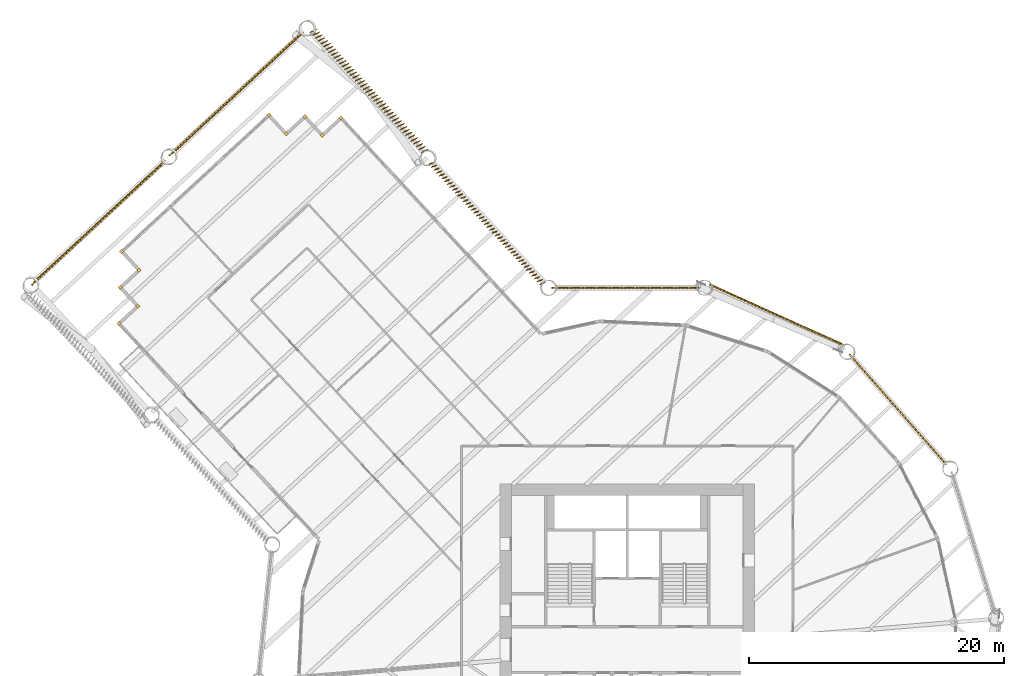
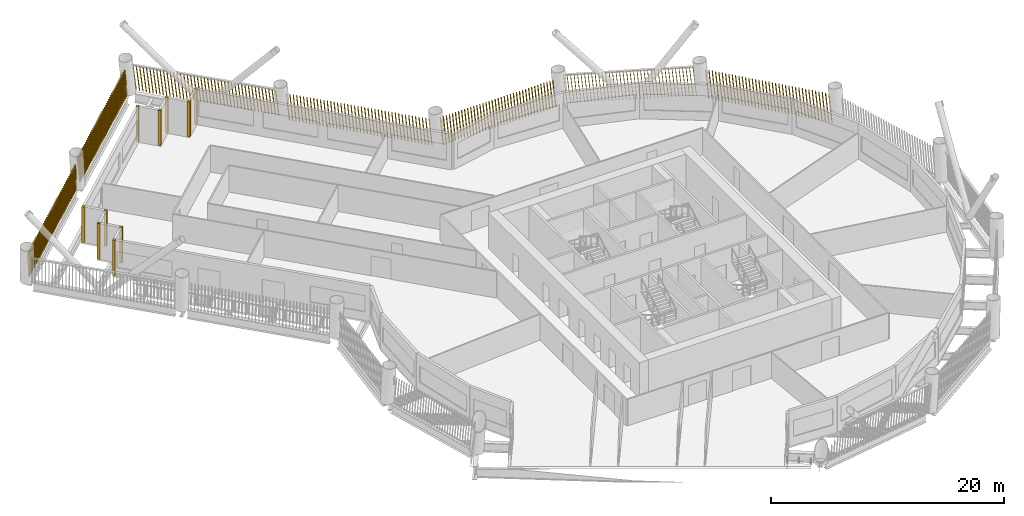
# One storey, part 21 of 22: 17 shading devices.
"""IFC4 building model written with IfcOpenShell, lengths in metres."""

from ifc_helpers import new_model, si_unit, direction, frame, frame_2d, origin, origin_2d, place, context, subcontext, project, spatial, rectangle, composite_profile, extrude, material, type_object, element, save


model = new_model("IFC4")

# Units and contexts
model_context = context("Model", 3, precision=1e-05, world=origin(), true_north=direction((0.0, 1.0)))
body_context = subcontext(model_context, "Body", "Model", "MODEL_VIEW")
ifc_project = project(units=[si_unit("LENGTHUNIT", "METRE"), si_unit("AREAUNIT", "SQUARE_METRE"), si_unit("VOLUMEUNIT", "CUBIC_METRE"), si_unit("PLANEANGLEUNIT", "RADIAN"), si_unit("MASSUNIT", "GRAM", prefix="KILO")], contexts=[model_context])

# Site, building, storey
site_placement = place(None, origin())
site = spatial("IfcSite", under=ifc_project, at=site_placement, CompositionType="ELEMENT")
building_placement = place(site_placement, origin())
building = spatial("IfcBuilding", under=site, at=building_placement, Name="Tarsis Ring Headquarters", CompositionType="ELEMENT")
storey_placement = place(building_placement, frame((0.0, 0.0, 63.39990234375)))
storey = spatial("IfcBuildingStorey", under=building, at=storey_placement, Name="L13", CompositionType="ELEMENT", Elevation=63.39990234375)

# Shading devices
ifc_material = material(Name="Terracotta baguette", Category="masonry")
shading_device_type_1 = type_object("IfcShadingDeviceType", Name="Terracotta baguette screen", PredefinedType="USERDEFINED", material=ifc_material)
shading_device_1_placement = place(storey_placement, frame((25.041259765625, 14.521728515625, 0.0), z_axis=(0.0, 0.0, 1.0), x_axis=(-0.660184481823, 0.751101465003, 0.0)))
element("IfcShadingDevice", 1, at=shading_device_1_placement, inside=storey, type_object=shading_device_type_1, Name="Baguette screen L13-12", ObjectType="Terracotta baguette screen", PredefinedType="USERDEFINED", context=body_context, shape_type="SweptSolid", body=[
    extrude(composite_profile([rectangle(XDim=0.06005859375, YDim=0.1201171875, at=frame_2d((0.030029296875, 0.0))), rectangle(XDim=0.06005859375, YDim=0.1201171875, at=frame_2d((0.33251953125, 0.0))), rectangle(XDim=0.06005859375, YDim=0.1201171875, at=frame_2d((0.634765625, 0.0))), rectangle(XDim=0.06005859375, YDim=0.1201171875, at=frame_2d((0.937255859375, 0.0))), rectangle(XDim=0.06005859375, YDim=0.1201171875, at=frame_2d((1.239501953125, 0.0))), rectangle(XDim=0.06005859375, YDim=0.1201171875, at=frame_2d((1.5419921875, 0.0))), rectangle(XDim=0.06005859375, YDim=0.1201171875, at=frame_2d((1.844482421875, 0.0))), rectangle(XDim=0.06005859375, YDim=0.1201171875, at=frame_2d((2.146728515625, 0.0))), rectangle(XDim=0.06005859375, YDim=0.1201171875, at=frame_2d((2.44921875, 0.0))), rectangle(XDim=0.06005859375, YDim=0.1201171875, at=frame_2d((2.751708984375, 0.0))), rectangle(XDim=0.06005859375, YDim=0.1201171875, at=frame_2d((3.053955078125, 0.0))), rectangle(XDim=0.06005859375, YDim=0.1201171875, at=frame_2d((3.3564453125, 0.0))), rectangle(XDim=0.06005859375, YDim=0.1201171875, at=frame_2d((3.65869140625, 0.0))), rectangle(XDim=0.06005859375, YDim=0.1201171875, at=frame_2d((3.961181640625, 0.0))), rectangle(XDim=0.06005859375, YDim=0.1201171875, at=frame_2d((4.263671875, 0.0))), rectangle(XDim=0.06005859375, YDim=0.1201171875, at=frame_2d((4.56591796875, 0.0))), rectangle(XDim=0.06005859375, YDim=0.1201171875, at=frame_2d((4.868408203125, 0.0))), rectangle(XDim=0.06005859375, YDim=0.1201171875, at=frame_2d((5.1708984375, 0.0))), rectangle(XDim=0.06005859375, YDim=0.1201171875, at=frame_2d((5.47314453125, 0.0))), rectangle(XDim=0.06005859375, YDim=0.1201171875, at=frame_2d((5.775634765625, 0.0))), rectangle(XDim=0.06005859375, YDim=0.1201171875, at=frame_2d((6.077880859375, 0.0))), rectangle(XDim=0.06005859375, YDim=0.1201171875, at=frame_2d((6.38037109375, 0.0))), rectangle(XDim=0.06005859375, YDim=0.1201171875, at=frame_2d((6.682861328125, 0.0))), rectangle(XDim=0.06005859375, YDim=0.1201171875, at=frame_2d((6.985107421875, 0.0))), rectangle(XDim=0.06005859375, YDim=0.1201171875, at=frame_2d((7.28759765625, 0.0))), rectangle(XDim=0.06005859375, YDim=0.1201171875, at=frame_2d((7.590087890625, 0.0))), rectangle(XDim=0.06005859375, YDim=0.1201171875, at=frame_2d((7.892333984375, 0.0))), rectangle(XDim=0.06005859375, YDim=0.1201171875, at=frame_2d((8.19482421875, 0.0))), rectangle(XDim=0.06005859375, YDim=0.1201171875, at=frame_2d((8.4970703125, 0.0))), rectangle(XDim=0.06005859375, YDim=0.1201171875, at=frame_2d((8.799560546875, 0.0))), rectangle(XDim=0.06005859375, YDim=0.1201171875, at=frame_2d((9.10205078125, 0.0))), rectangle(XDim=0.06005859375, YDim=0.1201171875, at=frame_2d((9.404296875, 0.0))), rectangle(XDim=0.06005859375, YDim=0.1201171875, at=frame_2d((9.706787109375, 0.0))), rectangle(XDim=0.06005859375, YDim=0.1201171875, at=frame_2d((10.00927734375, 0.0))), rectangle(XDim=0.06005859375, YDim=0.1201171875, at=frame_2d((10.3115234375, 0.0))), rectangle(XDim=0.06005859375, YDim=0.1201171875, at=frame_2d((10.614013671875, 0.0))), rectangle(XDim=0.06005859375, YDim=0.1201171875, at=frame_2d((10.916259765625, 0.0))), rectangle(XDim=0.06005859375, YDim=0.1201171875, at=frame_2d((11.21875, 0.0)))]), origin(), (0.100200333755, 0.000524199509, 0.994967144347), 2.967529296875),
])
shading_device_2_placement = place(storey_placement, frame((16.98388671875, 23.89404296875, 0.0), z_axis=(0.0, 0.0, 1.0), x_axis=(-0.911081691119, 0.412210261307, 0.0)))
element("IfcShadingDevice", 2, at=shading_device_2_placement, inside=storey, type_object=shading_device_type_1, Name="Baguette screen L13-13", ObjectType="Terracotta baguette screen", PredefinedType="USERDEFINED", context=body_context, shape_type="SweptSolid", body=[
    extrude(composite_profile([rectangle(XDim=0.06005859375, YDim=0.1201171875, at=frame_2d((0.030029296875, 0.0))), rectangle(XDim=0.06005859375, YDim=0.1201171875, at=frame_2d((0.33251953125, 0.0))), rectangle(XDim=0.06005859375, YDim=0.1201171875, at=frame_2d((0.634765625, 0.0))), rectangle(XDim=0.06005859375, YDim=0.1201171875, at=frame_2d((0.937255859375, 0.0))), rectangle(XDim=0.06005859375, YDim=0.1201171875, at=frame_2d((1.239501953125, 0.0))), rectangle(XDim=0.06005859375, YDim=0.1201171875, at=frame_2d((1.5419921875, 0.0))), rectangle(XDim=0.06005859375, YDim=0.1201171875, at=frame_2d((1.844482421875, 0.0))), rectangle(XDim=0.06005859375, YDim=0.1201171875, at=frame_2d((2.146728515625, 0.0))), rectangle(XDim=0.06005859375, YDim=0.1201171875, at=frame_2d((2.44921875, 0.0))), rectangle(XDim=0.06005859375, YDim=0.1201171875, at=frame_2d((2.751708984375, 0.0))), rectangle(XDim=0.06005859375, YDim=0.1201171875, at=frame_2d((3.053955078125, 0.0))), rectangle(XDim=0.06005859375, YDim=0.1201171875, at=frame_2d((3.3564453125, 0.0))), rectangle(XDim=0.06005859375, YDim=0.1201171875, at=frame_2d((3.65869140625, 0.0))), rectangle(XDim=0.06005859375, YDim=0.1201171875, at=frame_2d((3.961181640625, 0.0))), rectangle(XDim=0.06005859375, YDim=0.1201171875, at=frame_2d((4.263671875, 0.0))), rectangle(XDim=0.06005859375, YDim=0.1201171875, at=frame_2d((4.56591796875, 0.0))), rectangle(XDim=0.06005859375, YDim=0.1201171875, at=frame_2d((4.868408203125, 0.0))), rectangle(XDim=0.06005859375, YDim=0.1201171875, at=frame_2d((5.1708984375, 0.0))), rectangle(XDim=0.06005859375, YDim=0.1201171875, at=frame_2d((5.47314453125, 0.0))), rectangle(XDim=0.06005859375, YDim=0.1201171875, at=frame_2d((5.775634765625, 0.0))), rectangle(XDim=0.06005859375, YDim=0.1201171875, at=frame_2d((6.077880859375, 0.0))), rectangle(XDim=0.06005859375, YDim=0.1201171875, at=frame_2d((6.38037109375, 0.0))), rectangle(XDim=0.06005859375, YDim=0.1201171875, at=frame_2d((6.682861328125, 0.0))), rectangle(XDim=0.06005859375, YDim=0.1201171875, at=frame_2d((6.985107421875, 0.0))), rectangle(XDim=0.06005859375, YDim=0.1201171875, at=frame_2d((7.28759765625, 0.0))), rectangle(XDim=0.06005859375, YDim=0.1201171875, at=frame_2d((7.590087890625, 0.0))), rectangle(XDim=0.06005859375, YDim=0.1201171875, at=frame_2d((7.892333984375, 0.0))), rectangle(XDim=0.06005859375, YDim=0.1201171875, at=frame_2d((8.19482421875, 0.0))), rectangle(XDim=0.06005859375, YDim=0.1201171875, at=frame_2d((8.4970703125, 0.0))), rectangle(XDim=0.06005859375, YDim=0.1201171875, at=frame_2d((8.799560546875, 0.0))), rectangle(XDim=0.06005859375, YDim=0.1201171875, at=frame_2d((9.10205078125, 0.0))), rectangle(XDim=0.06005859375, YDim=0.1201171875, at=frame_2d((9.404296875, 0.0))), rectangle(XDim=0.06005859375, YDim=0.1201171875, at=frame_2d((9.706787109375, 0.0))), rectangle(XDim=0.06005859375, YDim=0.1201171875, at=frame_2d((10.00927734375, 0.0))), rectangle(XDim=0.06005859375, YDim=0.1201171875, at=frame_2d((10.3115234375, 0.0))), rectangle(XDim=0.06005859375, YDim=0.1201171875, at=frame_2d((10.614013671875, 0.0))), rectangle(XDim=0.06005859375, YDim=0.1201171875, at=frame_2d((10.916259765625, 0.0))), rectangle(XDim=0.06005859375, YDim=0.1201171875, at=frame_2d((11.21875, 0.0)))]), origin(), (0.101509480003, 0.000531793101, 0.994834429775), 2.968017578125),
])
shading_device_3_placement = place(storey_placement, frame((5.625, 28.3955078125, 0.0), z_axis=(0.0, 0.0, 1.0), x_axis=(-1.0, 2.1703744e-05, 0.0)))
element("IfcShadingDevice", 3, at=shading_device_3_placement, inside=storey, type_object=shading_device_type_1, Name="Baguette screen L13-14", ObjectType="Terracotta baguette screen", PredefinedType="USERDEFINED", context=body_context, shape_type="SweptSolid", body=[
    extrude(composite_profile([rectangle(XDim=0.06005859375, YDim=0.1201171875, at=frame_2d((0.030029296875, 0.0))), rectangle(XDim=0.06005859375, YDim=0.1201171875, at=frame_2d((0.33251953125, 0.0))), rectangle(XDim=0.06005859375, YDim=0.1201171875, at=frame_2d((0.634765625, 0.0))), rectangle(XDim=0.06005859375, YDim=0.1201171875, at=frame_2d((0.937255859375, 0.0))), rectangle(XDim=0.06005859375, YDim=0.1201171875, at=frame_2d((1.239501953125, 0.0))), rectangle(XDim=0.06005859375, YDim=0.1201171875, at=frame_2d((1.5419921875, 0.0))), rectangle(XDim=0.06005859375, YDim=0.1201171875, at=frame_2d((1.844482421875, 0.0))), rectangle(XDim=0.06005859375, YDim=0.1201171875, at=frame_2d((2.146728515625, 0.0))), rectangle(XDim=0.06005859375, YDim=0.1201171875, at=frame_2d((2.44921875, 0.0))), rectangle(XDim=0.06005859375, YDim=0.1201171875, at=frame_2d((2.751708984375, 0.0))), rectangle(XDim=0.06005859375, YDim=0.1201171875, at=frame_2d((3.053955078125, 0.0))), rectangle(XDim=0.06005859375, YDim=0.1201171875, at=frame_2d((3.3564453125, 0.0))), rectangle(XDim=0.06005859375, YDim=0.1201171875, at=frame_2d((3.65869140625, 0.0))), rectangle(XDim=0.06005859375, YDim=0.1201171875, at=frame_2d((3.961181640625, 0.0))), rectangle(XDim=0.06005859375, YDim=0.1201171875, at=frame_2d((4.263671875, 0.0))), rectangle(XDim=0.06005859375, YDim=0.1201171875, at=frame_2d((4.56591796875, 0.0))), rectangle(XDim=0.06005859375, YDim=0.1201171875, at=frame_2d((4.868408203125, 0.0))), rectangle(XDim=0.06005859375, YDim=0.1201171875, at=frame_2d((5.1708984375, 0.0))), rectangle(XDim=0.06005859375, YDim=0.1201171875, at=frame_2d((5.47314453125, 0.0))), rectangle(XDim=0.06005859375, YDim=0.1201171875, at=frame_2d((5.775634765625, 0.0))), rectangle(XDim=0.06005859375, YDim=0.1201171875, at=frame_2d((6.077880859375, 0.0))), rectangle(XDim=0.06005859375, YDim=0.1201171875, at=frame_2d((6.38037109375, 0.0))), rectangle(XDim=0.06005859375, YDim=0.1201171875, at=frame_2d((6.682861328125, 0.0))), rectangle(XDim=0.06005859375, YDim=0.1201171875, at=frame_2d((6.985107421875, 0.0))), rectangle(XDim=0.06005859375, YDim=0.1201171875, at=frame_2d((7.28759765625, 0.0))), rectangle(XDim=0.06005859375, YDim=0.1201171875, at=frame_2d((7.590087890625, 0.0))), rectangle(XDim=0.06005859375, YDim=0.1201171875, at=frame_2d((7.892333984375, 0.0))), rectangle(XDim=0.06005859375, YDim=0.1201171875, at=frame_2d((8.19482421875, 0.0))), rectangle(XDim=0.06005859375, YDim=0.1201171875, at=frame_2d((8.4970703125, 0.0))), rectangle(XDim=0.06005859375, YDim=0.1201171875, at=frame_2d((8.799560546875, 0.0))), rectangle(XDim=0.06005859375, YDim=0.1201171875, at=frame_2d((9.10205078125, 0.0))), rectangle(XDim=0.06005859375, YDim=0.1201171875, at=frame_2d((9.404296875, 0.0))), rectangle(XDim=0.06005859375, YDim=0.1201171875, at=frame_2d((9.706787109375, 0.0))), rectangle(XDim=0.06005859375, YDim=0.1201171875, at=frame_2d((10.00927734375, 0.0))), rectangle(XDim=0.06005859375, YDim=0.1201171875, at=frame_2d((10.3115234375, 0.0))), rectangle(XDim=0.06005859375, YDim=0.1201171875, at=frame_2d((10.614013671875, 0.0))), rectangle(XDim=0.06005859375, YDim=0.1201171875, at=frame_2d((10.916259765625, 0.0))), rectangle(XDim=0.06005859375, YDim=0.1201171875, at=frame_2d((11.21875, 0.0)))]), origin(), (0.100200418259, 0.000524824198, 0.994967135508), 2.967529296875),
])
shading_device_4_placement = place(storey_placement, frame((-6.463623046875, 28.762451171875, 0.0), z_axis=(0.0, 0.0, 1.0), x_axis=(-0.679433080402, 0.73374079891, 0.0)))
element("IfcShadingDevice", 4, at=shading_device_4_placement, inside=storey, type_object=shading_device_type_1, Name="Baguette screen L13-15", ObjectType="Terracotta baguette screen", PredefinedType="USERDEFINED", context=body_context, shape_type="SweptSolid", body=[
    extrude(composite_profile([rectangle(XDim=0.06005859375, YDim=0.1201171875, at=frame_2d((0.030029296875, 0.0))), rectangle(XDim=0.06005859375, YDim=0.1201171875, at=frame_2d((0.335693359375, 0.0))), rectangle(XDim=0.06005859375, YDim=0.1201171875, at=frame_2d((0.6416015625, 0.0))), rectangle(XDim=0.06005859375, YDim=0.1201171875, at=frame_2d((0.947265625, 0.0))), rectangle(XDim=0.06005859375, YDim=0.1201171875, at=frame_2d((1.253173828125, 0.0))), rectangle(XDim=0.06005859375, YDim=0.1201171875, at=frame_2d((1.558837890625, 0.0))), rectangle(XDim=0.06005859375, YDim=0.1201171875, at=frame_2d((1.864501953125, 0.0))), rectangle(XDim=0.06005859375, YDim=0.1201171875, at=frame_2d((2.17041015625, 0.0))), rectangle(XDim=0.06005859375, YDim=0.1201171875, at=frame_2d((2.47607421875, 0.0))), rectangle(XDim=0.06005859375, YDim=0.1201171875, at=frame_2d((2.781982421875, 0.0))), rectangle(XDim=0.06005859375, YDim=0.1201171875, at=frame_2d((3.087646484375, 0.0))), rectangle(XDim=0.06005859375, YDim=0.1201171875, at=frame_2d((3.393310546875, 0.0))), rectangle(XDim=0.06005859375, YDim=0.1201171875, at=frame_2d((3.69921875, 0.0))), rectangle(XDim=0.06005859375, YDim=0.1201171875, at=frame_2d((4.0048828125, 0.0))), rectangle(XDim=0.06005859375, YDim=0.1201171875, at=frame_2d((4.310791015625, 0.0))), rectangle(XDim=0.06005859375, YDim=0.1201171875, at=frame_2d((4.616455078125, 0.0))), rectangle(XDim=0.06005859375, YDim=0.1201171875, at=frame_2d((4.922119140625, 0.0))), rectangle(XDim=0.06005859375, YDim=0.1201171875, at=frame_2d((5.22802734375, 0.0))), rectangle(XDim=0.06005859375, YDim=0.1201171875, at=frame_2d((5.53369140625, 0.0))), rectangle(XDim=0.06005859375, YDim=0.1201171875, at=frame_2d((5.839599609375, 0.0))), rectangle(XDim=0.06005859375, YDim=0.1201171875, at=frame_2d((6.145263671875, 0.0))), rectangle(XDim=0.06005859375, YDim=0.1201171875, at=frame_2d((6.451171875, 0.0))), rectangle(XDim=0.06005859375, YDim=0.1201171875, at=frame_2d((6.7568359375, 0.0))), rectangle(XDim=0.06005859375, YDim=0.1201171875, at=frame_2d((7.0625, 0.0))), rectangle(XDim=0.06005859375, YDim=0.1201171875, at=frame_2d((7.368408203125, 0.0))), rectangle(XDim=0.06005859375, YDim=0.1201171875, at=frame_2d((7.674072265625, 0.0))), rectangle(XDim=0.06005859375, YDim=0.1201171875, at=frame_2d((7.97998046875, 0.0))), rectangle(XDim=0.06005859375, YDim=0.1201171875, at=frame_2d((8.28564453125, 0.0))), rectangle(XDim=0.06005859375, YDim=0.1201171875, at=frame_2d((8.59130859375, 0.0))), rectangle(XDim=0.06005859375, YDim=0.1201171875, at=frame_2d((8.897216796875, 0.0))), rectangle(XDim=0.06005859375, YDim=0.1201171875, at=frame_2d((9.202880859375, 0.0))), rectangle(XDim=0.06005859375, YDim=0.1201171875, at=frame_2d((9.5087890625, 0.0))), rectangle(XDim=0.06005859375, YDim=0.1201171875, at=frame_2d((9.814453125, 0.0))), rectangle(XDim=0.06005859375, YDim=0.1201171875, at=frame_2d((10.1201171875, 0.0))), rectangle(XDim=0.06005859375, YDim=0.1201171875, at=frame_2d((10.426025390625, 0.0))), rectangle(XDim=0.06005859375, YDim=0.1201171875, at=frame_2d((10.731689453125, 0.0))), rectangle(XDim=0.06005859375, YDim=0.1201171875, at=frame_2d((11.03759765625, 0.0))), rectangle(XDim=0.06005859375, YDim=0.1201171875, at=frame_2d((11.34326171875, 0.0))), rectangle(XDim=0.06005859375, YDim=0.1201171875, at=frame_2d((11.64892578125, 0.0))), rectangle(XDim=0.06005859375, YDim=0.1201171875, at=frame_2d((11.954833984375, 0.0))), rectangle(XDim=0.06005859375, YDim=0.1201171875, at=frame_2d((12.260498046875, 0.0))), rectangle(XDim=0.06005859375, YDim=0.1201171875, at=frame_2d((12.56640625, 0.0))), rectangle(XDim=0.06005859375, YDim=0.1201171875, at=frame_2d((12.8720703125, 0.0)))]), origin(), (0.051495166911, 0.11270209188, 0.992293548437), 2.9755859375),
])
shading_device_5_placement = place(storey_placement, frame((-15.634033203125, 39.2177734375, 0.0), z_axis=(0.0, 0.0, 1.0), x_axis=(-0.679439146231, 0.733726914926, 0.0)))
element("IfcShadingDevice", 5, at=shading_device_5_placement, inside=storey, type_object=shading_device_type_1, Name="Baguette screen L13-16", ObjectType="Terracotta baguette screen", PredefinedType="USERDEFINED", context=body_context, shape_type="SweptSolid", body=[
    extrude(composite_profile([rectangle(XDim=0.06005859375, YDim=0.1201171875, at=frame_2d((0.030029296875, 0.0))), rectangle(XDim=0.06005859375, YDim=0.1201171875, at=frame_2d((0.335693359375, 0.0))), rectangle(XDim=0.06005859375, YDim=0.1201171875, at=frame_2d((0.6416015625, 0.0))), rectangle(XDim=0.06005859375, YDim=0.1201171875, at=frame_2d((0.947265625, 0.0))), rectangle(XDim=0.06005859375, YDim=0.1201171875, at=frame_2d((1.253173828125, 0.0))), rectangle(XDim=0.06005859375, YDim=0.1201171875, at=frame_2d((1.558837890625, 0.0))), rectangle(XDim=0.06005859375, YDim=0.1201171875, at=frame_2d((1.864501953125, 0.0))), rectangle(XDim=0.06005859375, YDim=0.1201171875, at=frame_2d((2.17041015625, 0.0))), rectangle(XDim=0.06005859375, YDim=0.1201171875, at=frame_2d((2.47607421875, 0.0))), rectangle(XDim=0.06005859375, YDim=0.1201171875, at=frame_2d((2.781982421875, 0.0))), rectangle(XDim=0.06005859375, YDim=0.1201171875, at=frame_2d((3.087646484375, 0.0))), rectangle(XDim=0.06005859375, YDim=0.1201171875, at=frame_2d((3.393310546875, 0.0))), rectangle(XDim=0.06005859375, YDim=0.1201171875, at=frame_2d((3.69921875, 0.0))), rectangle(XDim=0.06005859375, YDim=0.1201171875, at=frame_2d((4.0048828125, 0.0))), rectangle(XDim=0.06005859375, YDim=0.1201171875, at=frame_2d((4.310791015625, 0.0))), rectangle(XDim=0.06005859375, YDim=0.1201171875, at=frame_2d((4.616455078125, 0.0))), rectangle(XDim=0.06005859375, YDim=0.1201171875, at=frame_2d((4.922119140625, 0.0))), rectangle(XDim=0.06005859375, YDim=0.1201171875, at=frame_2d((5.22802734375, 0.0))), rectangle(XDim=0.06005859375, YDim=0.1201171875, at=frame_2d((5.53369140625, 0.0))), rectangle(XDim=0.06005859375, YDim=0.1201171875, at=frame_2d((5.839599609375, 0.0))), rectangle(XDim=0.06005859375, YDim=0.1201171875, at=frame_2d((6.145263671875, 0.0))), rectangle(XDim=0.06005859375, YDim=0.1201171875, at=frame_2d((6.451171875, 0.0))), rectangle(XDim=0.06005859375, YDim=0.1201171875, at=frame_2d((6.7568359375, 0.0))), rectangle(XDim=0.06005859375, YDim=0.1201171875, at=frame_2d((7.0625, 0.0))), rectangle(XDim=0.06005859375, YDim=0.1201171875, at=frame_2d((7.368408203125, 0.0))), rectangle(XDim=0.06005859375, YDim=0.1201171875, at=frame_2d((7.674072265625, 0.0))), rectangle(XDim=0.06005859375, YDim=0.1201171875, at=frame_2d((7.97998046875, 0.0))), rectangle(XDim=0.06005859375, YDim=0.1201171875, at=frame_2d((8.28564453125, 0.0))), rectangle(XDim=0.06005859375, YDim=0.1201171875, at=frame_2d((8.59130859375, 0.0))), rectangle(XDim=0.06005859375, YDim=0.1201171875, at=frame_2d((8.897216796875, 0.0))), rectangle(XDim=0.06005859375, YDim=0.1201171875, at=frame_2d((9.202880859375, 0.0))), rectangle(XDim=0.06005859375, YDim=0.1201171875, at=frame_2d((9.5087890625, 0.0))), rectangle(XDim=0.06005859375, YDim=0.1201171875, at=frame_2d((9.814453125, 0.0))), rectangle(XDim=0.06005859375, YDim=0.1201171875, at=frame_2d((10.1201171875, 0.0))), rectangle(XDim=0.06005859375, YDim=0.1201171875, at=frame_2d((10.426025390625, 0.0))), rectangle(XDim=0.06005859375, YDim=0.1201171875, at=frame_2d((10.731689453125, 0.0))), rectangle(XDim=0.06005859375, YDim=0.1201171875, at=frame_2d((11.03759765625, 0.0))), rectangle(XDim=0.06005859375, YDim=0.1201171875, at=frame_2d((11.34326171875, 0.0))), rectangle(XDim=0.06005859375, YDim=0.1201171875, at=frame_2d((11.64892578125, 0.0))), rectangle(XDim=0.06005859375, YDim=0.1201171875, at=frame_2d((11.954833984375, 0.0))), rectangle(XDim=0.06005859375, YDim=0.1201171875, at=frame_2d((12.260498046875, 0.0))), rectangle(XDim=0.06005859375, YDim=0.1201171875, at=frame_2d((12.56640625, 0.0))), rectangle(XDim=0.06005859375, YDim=0.1201171875, at=frame_2d((12.8720703125, 0.0)))]), origin(), (0.05220746442, 0.160550258354, 0.985645978636), 2.99560546875),
])
shading_device_6_placement = place(storey_placement, frame((-25.382080078125, 48.45703125, 0.0), z_axis=(0.0, 0.0, 1.0), x_axis=(-0.733728438744, -0.679451570102, 0.0)))
element("IfcShadingDevice", 6, at=shading_device_6_placement, inside=storey, type_object=shading_device_type_1, Name="Baguette screen L13-17", ObjectType="Terracotta baguette screen", PredefinedType="USERDEFINED", context=body_context, shape_type="SweptSolid", body=[
    extrude(composite_profile([rectangle(XDim=0.06005859375, YDim=0.1201171875, at=frame_2d((0.030029296875, 0.0))), rectangle(XDim=0.06005859375, YDim=0.1201171875, at=frame_2d((0.33544921875, 0.0))), rectangle(XDim=0.06005859375, YDim=0.1201171875, at=frame_2d((0.640625, 0.0))), rectangle(XDim=0.06005859375, YDim=0.1201171875, at=frame_2d((0.946044921875, 0.0))), rectangle(XDim=0.06005859375, YDim=0.1201171875, at=frame_2d((1.25146484375, 0.0))), rectangle(XDim=0.06005859375, YDim=0.1201171875, at=frame_2d((1.556640625, 0.0))), rectangle(XDim=0.06005859375, YDim=0.1201171875, at=frame_2d((1.862060546875, 0.0))), rectangle(XDim=0.06005859375, YDim=0.1201171875, at=frame_2d((2.16748046875, 0.0))), rectangle(XDim=0.06005859375, YDim=0.1201171875, at=frame_2d((2.47265625, 0.0))), rectangle(XDim=0.06005859375, YDim=0.1201171875, at=frame_2d((2.778076171875, 0.0))), rectangle(XDim=0.06005859375, YDim=0.1201171875, at=frame_2d((3.08349609375, 0.0))), rectangle(XDim=0.06005859375, YDim=0.1201171875, at=frame_2d((3.388671875, 0.0))), rectangle(XDim=0.06005859375, YDim=0.1201171875, at=frame_2d((3.694091796875, 0.0))), rectangle(XDim=0.06005859375, YDim=0.1201171875, at=frame_2d((3.99951171875, 0.0))), rectangle(XDim=0.06005859375, YDim=0.1201171875, at=frame_2d((4.3046875, 0.0))), rectangle(XDim=0.06005859375, YDim=0.1201171875, at=frame_2d((4.610107421875, 0.0))), rectangle(XDim=0.06005859375, YDim=0.1201171875, at=frame_2d((4.91552734375, 0.0))), rectangle(XDim=0.06005859375, YDim=0.1201171875, at=frame_2d((5.220703125, 0.0))), rectangle(XDim=0.06005859375, YDim=0.1201171875, at=frame_2d((5.526123046875, 0.0))), rectangle(XDim=0.06005859375, YDim=0.1201171875, at=frame_2d((5.83154296875, 0.0))), rectangle(XDim=0.06005859375, YDim=0.1201171875, at=frame_2d((6.13671875, 0.0))), rectangle(XDim=0.06005859375, YDim=0.1201171875, at=frame_2d((6.442138671875, 0.0))), rectangle(XDim=0.06005859375, YDim=0.1201171875, at=frame_2d((6.74755859375, 0.0))), rectangle(XDim=0.06005859375, YDim=0.1201171875, at=frame_2d((7.052734375, 0.0))), rectangle(XDim=0.06005859375, YDim=0.1201171875, at=frame_2d((7.358154296875, 0.0))), rectangle(XDim=0.06005859375, YDim=0.1201171875, at=frame_2d((7.66357421875, 0.0))), rectangle(XDim=0.06005859375, YDim=0.1201171875, at=frame_2d((7.96875, 0.0))), rectangle(XDim=0.06005859375, YDim=0.1201171875, at=frame_2d((8.274169921875, 0.0))), rectangle(XDim=0.06005859375, YDim=0.1201171875, at=frame_2d((8.57958984375, 0.0))), rectangle(XDim=0.06005859375, YDim=0.1201171875, at=frame_2d((8.884765625, 0.0))), rectangle(XDim=0.06005859375, YDim=0.1201171875, at=frame_2d((9.190185546875, 0.0))), rectangle(XDim=0.06005859375, YDim=0.1201171875, at=frame_2d((9.49560546875, 0.0))), rectangle(XDim=0.06005859375, YDim=0.1201171875, at=frame_2d((9.80078125, 0.0))), rectangle(XDim=0.06005859375, YDim=0.1201171875, at=frame_2d((10.106201171875, 0.0))), rectangle(XDim=0.06005859375, YDim=0.1201171875, at=frame_2d((10.41162109375, 0.0))), rectangle(XDim=0.06005859375, YDim=0.1201171875, at=frame_2d((10.716796875, 0.0))), rectangle(XDim=0.06005859375, YDim=0.1201171875, at=frame_2d((11.022216796875, 0.0))), rectangle(XDim=0.06005859375, YDim=0.1201171875, at=frame_2d((11.32763671875, 0.0))), rectangle(XDim=0.06005859375, YDim=0.1201171875, at=frame_2d((11.6328125, 0.0))), rectangle(XDim=0.06005859375, YDim=0.1201171875, at=frame_2d((11.938232421875, 0.0))), rectangle(XDim=0.06005859375, YDim=0.1201171875, at=frame_2d((12.24365234375, 0.0))), rectangle(XDim=0.06005859375, YDim=0.1201171875, at=frame_2d((12.548828125, 0.0))), rectangle(XDim=0.06005859375, YDim=0.1201171875, at=frame_2d((12.854248046875, 0.0))), rectangle(XDim=0.06005859375, YDim=0.1201171875, at=frame_2d((13.15966796875, 0.0))), rectangle(XDim=0.06005859375, YDim=0.1201171875, at=frame_2d((13.46484375, 0.0))), rectangle(XDim=0.06005859375, YDim=0.1201171875, at=frame_2d((13.770263671875, 0.0)))]), origin(), (0.18413539396, -0.024826063219, 0.982587310765), 3.0048828125),
])
shading_device_7_placement = place(storey_placement, frame((-36.241455078125, 38.401123046875, 0.0), z_axis=(0.0, 0.0, 1.0), x_axis=(-0.733728438744, -0.679433878815, 0.0)))
element("IfcShadingDevice", 7, at=shading_device_7_placement, inside=storey, type_object=shading_device_type_1, Name="Baguette screen L13-18", ObjectType="Terracotta baguette screen", PredefinedType="USERDEFINED", context=body_context, shape_type="SweptSolid", body=[
    extrude(composite_profile([rectangle(XDim=0.06005859375, YDim=0.1201171875, at=frame_2d((0.030029296875, 0.0))), rectangle(XDim=0.06005859375, YDim=0.1201171875, at=frame_2d((0.33544921875, 0.0))), rectangle(XDim=0.06005859375, YDim=0.1201171875, at=frame_2d((0.640625, 0.0))), rectangle(XDim=0.06005859375, YDim=0.1201171875, at=frame_2d((0.946044921875, 0.0))), rectangle(XDim=0.06005859375, YDim=0.1201171875, at=frame_2d((1.25146484375, 0.0))), rectangle(XDim=0.06005859375, YDim=0.1201171875, at=frame_2d((1.556640625, 0.0))), rectangle(XDim=0.06005859375, YDim=0.1201171875, at=frame_2d((1.862060546875, 0.0))), rectangle(XDim=0.06005859375, YDim=0.1201171875, at=frame_2d((2.16748046875, 0.0))), rectangle(XDim=0.06005859375, YDim=0.1201171875, at=frame_2d((2.47265625, 0.0))), rectangle(XDim=0.06005859375, YDim=0.1201171875, at=frame_2d((2.778076171875, 0.0))), rectangle(XDim=0.06005859375, YDim=0.1201171875, at=frame_2d((3.08349609375, 0.0))), rectangle(XDim=0.06005859375, YDim=0.1201171875, at=frame_2d((3.388671875, 0.0))), rectangle(XDim=0.06005859375, YDim=0.1201171875, at=frame_2d((3.694091796875, 0.0))), rectangle(XDim=0.06005859375, YDim=0.1201171875, at=frame_2d((3.99951171875, 0.0))), rectangle(XDim=0.06005859375, YDim=0.1201171875, at=frame_2d((4.3046875, 0.0))), rectangle(XDim=0.06005859375, YDim=0.1201171875, at=frame_2d((4.610107421875, 0.0))), rectangle(XDim=0.06005859375, YDim=0.1201171875, at=frame_2d((4.91552734375, 0.0))), rectangle(XDim=0.06005859375, YDim=0.1201171875, at=frame_2d((5.220703125, 0.0))), rectangle(XDim=0.06005859375, YDim=0.1201171875, at=frame_2d((5.526123046875, 0.0))), rectangle(XDim=0.06005859375, YDim=0.1201171875, at=frame_2d((5.83154296875, 0.0))), rectangle(XDim=0.06005859375, YDim=0.1201171875, at=frame_2d((6.13671875, 0.0))), rectangle(XDim=0.06005859375, YDim=0.1201171875, at=frame_2d((6.442138671875, 0.0))), rectangle(XDim=0.06005859375, YDim=0.1201171875, at=frame_2d((6.74755859375, 0.0))), rectangle(XDim=0.06005859375, YDim=0.1201171875, at=frame_2d((7.052734375, 0.0))), rectangle(XDim=0.06005859375, YDim=0.1201171875, at=frame_2d((7.358154296875, 0.0))), rectangle(XDim=0.06005859375, YDim=0.1201171875, at=frame_2d((7.66357421875, 0.0))), rectangle(XDim=0.06005859375, YDim=0.1201171875, at=frame_2d((7.96875, 0.0))), rectangle(XDim=0.06005859375, YDim=0.1201171875, at=frame_2d((8.274169921875, 0.0))), rectangle(XDim=0.06005859375, YDim=0.1201171875, at=frame_2d((8.57958984375, 0.0))), rectangle(XDim=0.06005859375, YDim=0.1201171875, at=frame_2d((8.884765625, 0.0))), rectangle(XDim=0.06005859375, YDim=0.1201171875, at=frame_2d((9.190185546875, 0.0))), rectangle(XDim=0.06005859375, YDim=0.1201171875, at=frame_2d((9.49560546875, 0.0))), rectangle(XDim=0.06005859375, YDim=0.1201171875, at=frame_2d((9.80078125, 0.0))), rectangle(XDim=0.06005859375, YDim=0.1201171875, at=frame_2d((10.106201171875, 0.0))), rectangle(XDim=0.06005859375, YDim=0.1201171875, at=frame_2d((10.41162109375, 0.0))), rectangle(XDim=0.06005859375, YDim=0.1201171875, at=frame_2d((10.716796875, 0.0))), rectangle(XDim=0.06005859375, YDim=0.1201171875, at=frame_2d((11.022216796875, 0.0))), rectangle(XDim=0.06005859375, YDim=0.1201171875, at=frame_2d((11.32763671875, 0.0))), rectangle(XDim=0.06005859375, YDim=0.1201171875, at=frame_2d((11.6328125, 0.0))), rectangle(XDim=0.06005859375, YDim=0.1201171875, at=frame_2d((11.938232421875, 0.0))), rectangle(XDim=0.06005859375, YDim=0.1201171875, at=frame_2d((12.24365234375, 0.0))), rectangle(XDim=0.06005859375, YDim=0.1201171875, at=frame_2d((12.548828125, 0.0))), rectangle(XDim=0.06005859375, YDim=0.1201171875, at=frame_2d((12.854248046875, 0.0))), rectangle(XDim=0.06005859375, YDim=0.1201171875, at=frame_2d((13.15966796875, 0.0))), rectangle(XDim=0.06005859375, YDim=0.1201171875, at=frame_2d((13.46484375, 0.0))), rectangle(XDim=0.06005859375, YDim=0.1201171875, at=frame_2d((13.770263671875, 0.0)))]), origin(), (0.18386308046, 0.026751653785, 0.982587765375), 3.0048828125),
])
shading_device_type_2 = type_object("IfcShadingDeviceType", Name="Terracotta corner baguette 250x250", PredefinedType="USERDEFINED", material=ifc_material)
for number, where, z_axis, x_axis, name in (
    (8, (-39.88232421875, 25.591552734375, 0.0), (0.0, 0.0, 1.0), (-0.733729828927, -0.67944134268, 0.0), "Corner baguette L13-01"),
    (9, (-22.456298828125, 41.728271484375, 0.0), (0.0, 0.0, 1.0), (-0.679441317068, 0.733729852644, 0.0), "Corner baguette L13-32"),
    (10, (-23.923828125, 40.369384765625, 0.0), (0.0, 0.0, 1.0), (-0.733729603616, -0.679441585994, 0.0), "Corner baguette L13-33"),
    (11, (-25.28271484375, 41.8369140625, 0.0), (0.0, 0.0, 1.0), (-0.679441086559, 0.733730066097, 0.0), "Corner baguette L13-34"),
    (12, (-26.750244140625, 40.47802734375, 0.0), (0.0, 0.0, 1.0), (-0.733729828927, -0.67944134268, 0.0), "Corner baguette L13-35"),
    (13, (-28.109130859375, 41.9453125, 0.0), (0.0, 0.0, 1.0), (-0.679441585994, 0.733729603616, 0.0), "Corner baguette L13-36"),
    (14, (-39.665283203125, 31.244140625, 0.0), (0.0, 0.0, 1.0), (-0.733729864503, -0.679441304262, 0.0), "Corner baguette L13-37"),
    (15, (-38.306396484375, 29.776611328125, 0.0), (0.0, 0.0, 1.0), (0.679441073753, -0.733730077956, 0.0), "Corner baguette L13-38"),
    (16, (-39.77392578125, 28.417724609375, 0.0), (0.0, 0.0, 1.0), (-0.733729603616, -0.679441585994, 0.0), "Corner baguette L13-39"),
    (17, (-38.4150390625, 26.950439453125, 0.0), (0.0, 0.0, 1.0), (0.679441585994, -0.733729603616, 0.0), "Corner baguette L13-40"),
):
    element("IfcShadingDevice", number, at=place(storey_placement, frame(where, z_axis=z_axis, x_axis=x_axis)), inside=storey, type_object=shading_device_type_2, Name=name, ObjectType="Terracotta corner baguette", PredefinedType="USERDEFINED", context=body_context, shape_type="SweptSolid", body=[
        extrude(rectangle(XDim=0.25, YDim=0.25, at=origin_2d()), origin(), (0.0, 0.0, 1.0), 3.739990234375),
    ])

save(model, "model.ifc")
